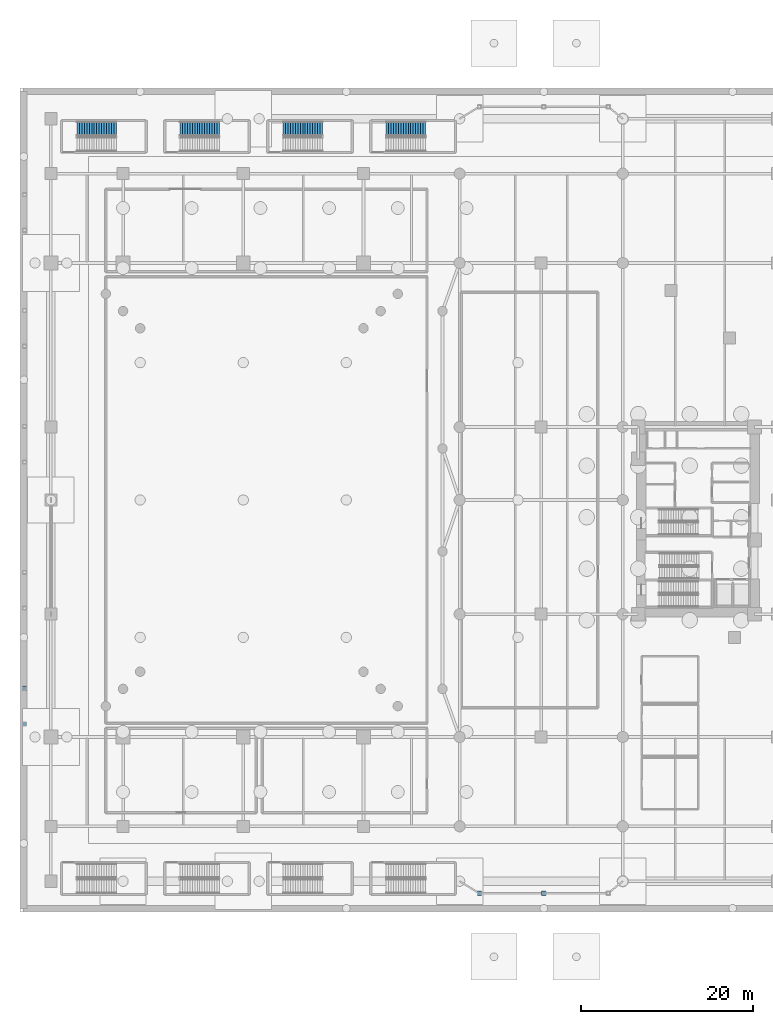
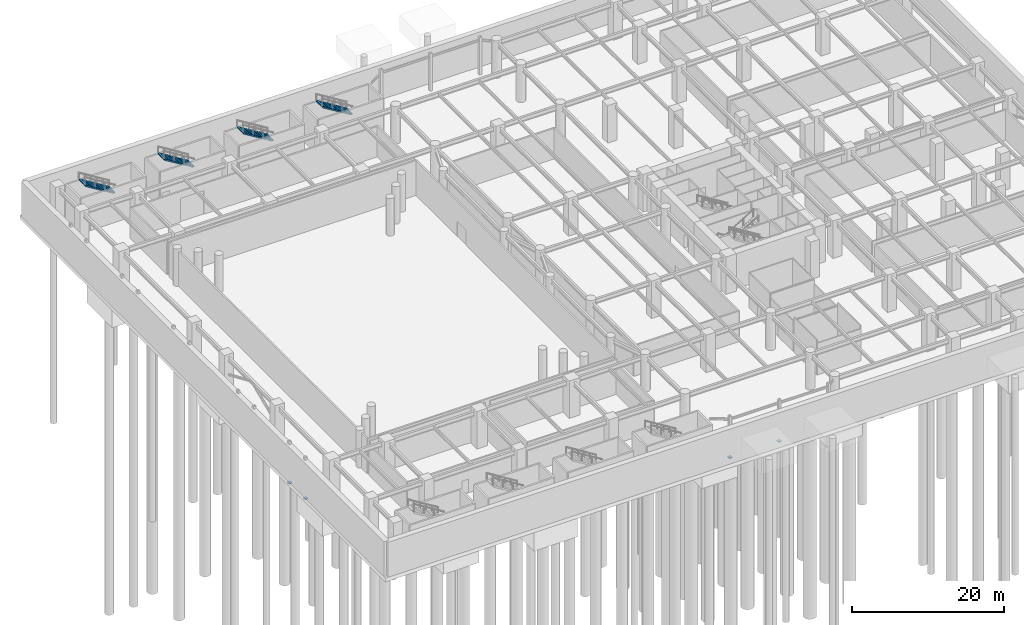
# One storey, part 26 of 37: 4 discrete accessories, 4 stair flights, 4 elements without a shape of their own.
"""IFC4 building model written with IfcOpenShell, lengths in metres."""

from ifc_helpers import new_model, si_unit, direction, frame, origin, origin_2d, place, context, subcontext, project, spatial, polyline, rectangle, outline, extrude, material, type_object, element, aggregate, save


model = new_model("IFC4")

# Units and contexts
model_context = context("Model", 3, precision=1e-05, world=origin(), true_north=direction((0.0, 1.0)))
body_context = subcontext(model_context, "Body", "Model", "MODEL_VIEW")
ifc_project = project(units=[si_unit("LENGTHUNIT", "METRE"), si_unit("AREAUNIT", "SQUARE_METRE"), si_unit("VOLUMEUNIT", "CUBIC_METRE"), si_unit("PLANEANGLEUNIT", "RADIAN"), si_unit("MASSUNIT", "GRAM", prefix="KILO")], contexts=[model_context])

# Site, building, storey
site_placement = place(None, origin())
site = spatial("IfcSite", under=ifc_project, at=site_placement, CompositionType="ELEMENT")
building_placement = place(site_placement, origin())
building = spatial("IfcBuilding", under=site, at=building_placement, Name="Narakoshi Arena Tower", CompositionType="ELEMENT")
storey_placement = place(building_placement, frame((0.0, 0.0, -6.0)))
storey = spatial("IfcBuildingStorey", under=building, at=storey_placement, Name="B01", CompositionType="ELEMENT", Elevation=-6.0)

# Stair, stair flight
ifc_material_1 = material(Name="Concrete C45/55", Category="concrete")
stair_type = type_object("IfcStairType", Name="STR-ARN-2400", PredefinedType="TWO_STRAIGHT_RUN_STAIR", material=ifc_material_1)
stair_1_placement = place(storey_placement, origin())
stair_1 = element("IfcStair", 1, at=stair_1_placement, inside=storey, type_object=stair_type, Name="B01 Arena Crowd Escape Stair AST5", PredefinedType="TWO_STRAIGHT_RUN_STAIR")
ifc_material_2 = material(Name="Precast concrete C45/55", Category="concrete")
stair_flight_type = type_object("IfcStairFlightType", Name="FLT-240-150", PredefinedType="STRAIGHT", material=ifc_material_2)
stair_flight_1_placement = place(storey_placement, frame((11.2099609375, 91.22509765625, 3.0), z_axis=(0.0, 0.0, 1.0), x_axis=(-1.0, 0.0, 0.0)))
stair_flight_1 = element("IfcStairFlight", 2, at=stair_flight_1_placement, type_object=stair_flight_type, Name="AST5 flight 2", NumberOfRisers=17, NumberOfTreads=16, PredefinedType="STRAIGHT", RiserHeight=0.176470588, TreadLength=0.285, context=body_context, shape_type="SweptSolid", body=[
    extrude(outline(polyline([(0.0, 0.0), (0.0, 0.176513671875), (0.284912109375, 0.176513671875), (0.284912109375, 0.35302734375), (0.570068359375, 0.35302734375), (0.570068359375, 0.529296875), (0.85498046875, 0.529296875), (0.85498046875, 0.705810546875), (1.139892578125, 0.705810546875), (1.139892578125, 0.88232421875), (1.425048828125, 0.88232421875), (1.425048828125, 1.058837890625), (1.7099609375, 1.058837890625), (1.7099609375, 1.2353515625), (1.9951171875, 1.2353515625), (1.9951171875, 1.411865234375), (2.280029296875, 1.411865234375), (2.280029296875, 1.588134765625), (2.56494140625, 1.588134765625), (2.56494140625, 1.7646484375), (2.85009765625, 1.7646484375), (2.85009765625, 1.941162109375), (3.135009765625, 1.941162109375), (3.135009765625, 2.11767578125), (3.419921875, 2.11767578125), (3.419921875, 2.294189453125), (3.705078125, 2.294189453125), (3.705078125, 2.470703125), (3.989990234375, 2.470703125), (3.989990234375, 2.64697265625), (4.27490234375, 2.64697265625), (4.27490234375, 2.823486328125), (4.56005859375, 2.823486328125), (4.56005859375, 3.0), (4.56005859375, 2.647216796875), (0.28466796875, 0.0), (0.0, 0.0)])), frame((0.0, 0.824951171875, 0.0), z_axis=(0.0, -1.0, 0.0), x_axis=(1.0, 0.0, 0.0)), (0.0, 0.0, 1.0), 1.64990234375),
])
aggregate(stair_1, [stair_flight_1])

stair_2_placement = place(storey_placement, origin())
stair_2 = element("IfcStair", 3, at=stair_2_placement, inside=storey, type_object=stair_type, Name="B01 Arena Crowd Escape Stair AST6", PredefinedType="TWO_STRAIGHT_RUN_STAIR")
stair_flight_2_placement = place(storey_placement, frame((23.2099609375, 91.22509765625, 3.0), z_axis=(0.0, 0.0, 1.0), x_axis=(-1.0, 0.0, 0.0)))
stair_flight_2 = element("IfcStairFlight", 4, at=stair_flight_2_placement, type_object=stair_flight_type, Name="AST6 flight 2", NumberOfRisers=17, NumberOfTreads=16, PredefinedType="STRAIGHT", RiserHeight=0.176470588, TreadLength=0.285, context=body_context, shape_type="SweptSolid", body=[
    extrude(outline(polyline([(0.0, 0.0), (0.0, 0.176513671875), (0.284912109375, 0.176513671875), (0.284912109375, 0.35302734375), (0.570068359375, 0.35302734375), (0.570068359375, 0.529296875), (0.85498046875, 0.529296875), (0.85498046875, 0.705810546875), (1.139892578125, 0.705810546875), (1.139892578125, 0.88232421875), (1.425048828125, 0.88232421875), (1.425048828125, 1.058837890625), (1.7099609375, 1.058837890625), (1.7099609375, 1.2353515625), (1.9951171875, 1.2353515625), (1.9951171875, 1.411865234375), (2.280029296875, 1.411865234375), (2.280029296875, 1.588134765625), (2.56494140625, 1.588134765625), (2.56494140625, 1.7646484375), (2.85009765625, 1.7646484375), (2.85009765625, 1.941162109375), (3.135009765625, 1.941162109375), (3.135009765625, 2.11767578125), (3.419921875, 2.11767578125), (3.419921875, 2.294189453125), (3.705078125, 2.294189453125), (3.705078125, 2.470703125), (3.989990234375, 2.470703125), (3.989990234375, 2.64697265625), (4.27490234375, 2.64697265625), (4.27490234375, 2.823486328125), (4.56005859375, 2.823486328125), (4.56005859375, 3.0), (4.56005859375, 2.647216796875), (0.28466796875, 0.0), (0.0, 0.0)])), frame((0.0, 0.824951171875, 0.0), z_axis=(0.0, -1.0, 0.0), x_axis=(1.0, 0.0, 0.0)), (0.0, 0.0, 1.0), 1.64990234375),
])
aggregate(stair_2, [stair_flight_2])

stair_3_placement = place(storey_placement, origin())
stair_3 = element("IfcStair", 5, at=stair_3_placement, inside=storey, type_object=stair_type, Name="B01 Arena Crowd Escape Stair AST7", PredefinedType="TWO_STRAIGHT_RUN_STAIR")
stair_flight_3_placement = place(storey_placement, frame((35.2099609375, 91.22509765625, 3.0), z_axis=(0.0, 0.0, 1.0), x_axis=(-1.0, 0.0, 0.0)))
stair_flight_3 = element("IfcStairFlight", 6, at=stair_flight_3_placement, type_object=stair_flight_type, Name="AST7 flight 2", NumberOfRisers=17, NumberOfTreads=16, PredefinedType="STRAIGHT", RiserHeight=0.176470588, TreadLength=0.285, context=body_context, shape_type="SweptSolid", body=[
    extrude(outline(polyline([(0.0, 0.0), (0.0, 0.176513671875), (0.284912109375, 0.176513671875), (0.284912109375, 0.35302734375), (0.570068359375, 0.35302734375), (0.570068359375, 0.529296875), (0.85498046875, 0.529296875), (0.85498046875, 0.705810546875), (1.139892578125, 0.705810546875), (1.139892578125, 0.88232421875), (1.425048828125, 0.88232421875), (1.425048828125, 1.058837890625), (1.7099609375, 1.058837890625), (1.7099609375, 1.2353515625), (1.9951171875, 1.2353515625), (1.9951171875, 1.411865234375), (2.280029296875, 1.411865234375), (2.280029296875, 1.588134765625), (2.56494140625, 1.588134765625), (2.56494140625, 1.7646484375), (2.85009765625, 1.7646484375), (2.85009765625, 1.941162109375), (3.135009765625, 1.941162109375), (3.135009765625, 2.11767578125), (3.419921875, 2.11767578125), (3.419921875, 2.294189453125), (3.705078125, 2.294189453125), (3.705078125, 2.470703125), (3.989990234375, 2.470703125), (3.989990234375, 2.64697265625), (4.27490234375, 2.64697265625), (4.27490234375, 2.823486328125), (4.56005859375, 2.823486328125), (4.56005859375, 3.0), (4.56005859375, 2.647216796875), (0.28466796875, 0.0), (0.0, 0.0)])), frame((0.0, 0.824951171875, 0.0), z_axis=(0.0, -1.0, 0.0), x_axis=(1.0, 0.0, 0.0)), (0.0, 0.0, 1.0), 1.64990234375),
])
aggregate(stair_3, [stair_flight_3])

stair_4_placement = place(storey_placement, origin())
stair_4 = element("IfcStair", 7, at=stair_4_placement, inside=storey, type_object=stair_type, Name="B01 Arena Crowd Escape Stair AST8", PredefinedType="TWO_STRAIGHT_RUN_STAIR")
stair_flight_4_placement = place(storey_placement, frame((47.2099609375, 91.22509765625, 3.0), z_axis=(0.0, 0.0, 1.0), x_axis=(-1.0, 0.0, 0.0)))
stair_flight_4 = element("IfcStairFlight", 8, at=stair_flight_4_placement, type_object=stair_flight_type, Name="AST8 flight 2", NumberOfRisers=17, NumberOfTreads=16, PredefinedType="STRAIGHT", RiserHeight=0.176470588, TreadLength=0.285, context=body_context, shape_type="SweptSolid", body=[
    extrude(outline(polyline([(0.0, 0.0), (0.0, 0.176513671875), (0.284912109375, 0.176513671875), (0.284912109375, 0.35302734375), (0.570068359375, 0.35302734375), (0.570068359375, 0.529296875), (0.85498046875, 0.529296875), (0.85498046875, 0.705810546875), (1.139892578125, 0.705810546875), (1.139892578125, 0.88232421875), (1.425048828125, 0.88232421875), (1.425048828125, 1.058837890625), (1.7099609375, 1.058837890625), (1.7099609375, 1.2353515625), (1.9951171875, 1.2353515625), (1.9951171875, 1.411865234375), (2.280029296875, 1.411865234375), (2.280029296875, 1.588134765625), (2.56494140625, 1.588134765625), (2.56494140625, 1.7646484375), (2.85009765625, 1.7646484375), (2.85009765625, 1.941162109375), (3.135009765625, 1.941162109375), (3.135009765625, 2.11767578125), (3.419921875, 2.11767578125), (3.419921875, 2.294189453125), (3.705078125, 2.294189453125), (3.705078125, 2.470703125), (3.989990234375, 2.470703125), (3.989990234375, 2.64697265625), (4.27490234375, 2.64697265625), (4.27490234375, 2.823486328125), (4.56005859375, 2.823486328125), (4.56005859375, 3.0), (4.56005859375, 2.647216796875), (0.28466796875, 0.0), (0.0, 0.0)])), frame((0.0, 0.824951171875, 0.0), z_axis=(0.0, -1.0, 0.0), x_axis=(1.0, 0.0, 0.0)), (0.0, 0.0, 1.0), 1.64990234375),
])
aggregate(stair_4, [stair_flight_4])

# Discrete accessories
ifc_material_3 = material(Name="Structural steel S460ML", Category="steel")
discrete_accessory_type = type_object("IfcDiscreteAccessoryType", Name="ACC-GUS-PLT", PredefinedType="BRACKET", material=ifc_material_3)
for number, where, z_axis, x_axis, name in (
    (9, (0.52001953125, 26.070068359375, -0.72998046875), (0.0, 0.0, 1.0), (1.0, 0.0, 0.0), "B01 Shutter Pier Base Cap Plate 05N"),
    (10, (0.52001953125, 21.909912109375, -0.72998046875), (0.0, 0.0, 1.0), (1.0, 0.0, 0.0), "B01 Shutter Pier Base Cap Plate 05S"),
    (11, (53.5, 2.199951171875, -0.72998046875), (0.0, 0.0, 1.0), (1.0, 0.0, 0.0), "B01 Canopy Column Base Cap Plate CAN01"),
    (12, (61.0, 2.199951171875, -0.72998046875), (0.0, 0.0, 1.0), (1.0, 0.0, 0.0), "B01 Canopy Column Base Cap Plate CAN02"),
):
    element("IfcDiscreteAccessory", number, at=place(storey_placement, frame(where, z_axis=z_axis, x_axis=x_axis)), inside=storey, type_object=discrete_accessory_type, Name=name, PredefinedType="BRACKET", context=body_context, shape_type="SweptSolid", body=[
        extrude(rectangle(XDim=0.47998046875, YDim=0.47998046875, at=origin_2d()), origin(), (0.0, 0.0, 1.0), 0.139892578125),
    ])

save(model, "model.ifc")
